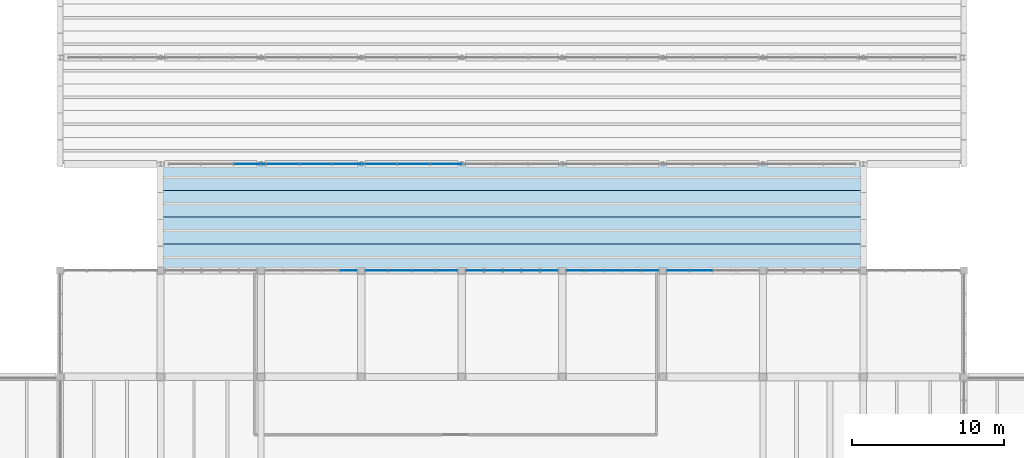
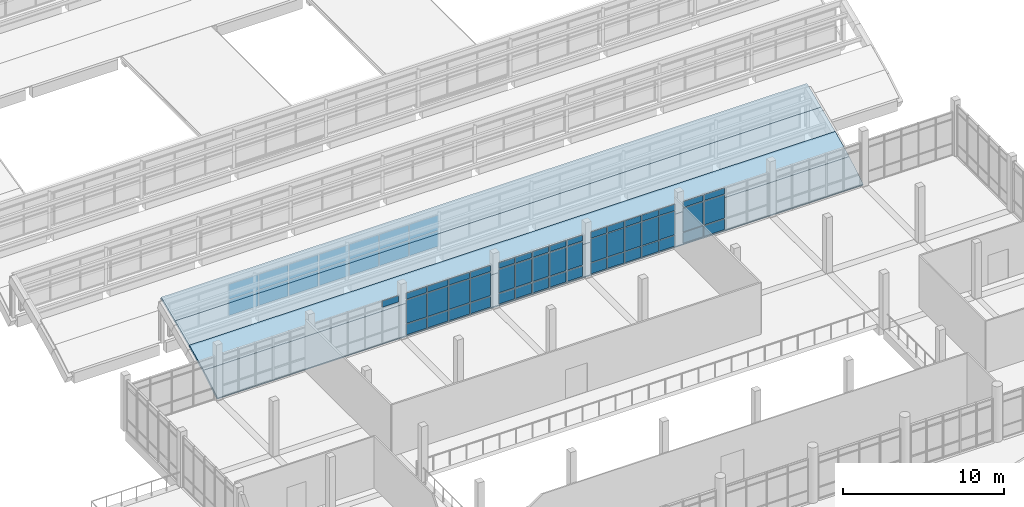
# One storey, part 68 of 92: 63 plates, 4 slabs, 7 elements without a shape of their own.
"""IFC4 building model written with IfcOpenShell, lengths in metres."""

from ifc_helpers import new_model, si_unit, direction, frame, origin, origin_2d, place, context, subcontext, project, spatial, polyline, rectangle, outline, extrude, material, layer, layer_set, type_object, element, aggregate, save


model = new_model("IFC4")

# Units and contexts
model_context = context("Model", 3, precision=1e-05, world=origin(), true_north=direction((0.0, 1.0)))
body_context = subcontext(model_context, "Body", "Model", "MODEL_VIEW")
ifc_project = project(units=[si_unit("LENGTHUNIT", "METRE"), si_unit("AREAUNIT", "SQUARE_METRE"), si_unit("VOLUMEUNIT", "CUBIC_METRE"), si_unit("PLANEANGLEUNIT", "RADIAN"), si_unit("MASSUNIT", "GRAM", prefix="KILO")], contexts=[model_context])

# Site, building, storey
site_placement = place(None, origin())
site = spatial("IfcSite", under=ifc_project, at=site_placement, CompositionType="ELEMENT")
building_placement = place(site_placement, origin())
building = spatial("IfcBuilding", under=site, at=building_placement, Name="Ciguamira Faculty of Natural Sciences", CompositionType="ELEMENT")
storey_placement = place(building_placement, frame((0.0, 0.0, 16.800048828125)))
storey = spatial("IfcBuildingStorey", under=building, at=storey_placement, Name="L04", CompositionType="ELEMENT", Elevation=16.800048828125)

# Curtain wall, plate
ifc_material_1 = material(Name="Anodized aluminium curtain wall", Category="aluminium")
curtain_wall_type_1 = type_object("IfcCurtainWallType", Name="CurtainWall_CW-07", PredefinedType="USERDEFINED", material=ifc_material_1)
curtain_wall_1_placement = place(storey_placement, origin())
curtain_wall_1 = element("IfcCurtainWall", 1, at=curtain_wall_1_placement, inside=storey, type_object=curtain_wall_type_1, Name="L04 unitised curtain wall 0115", ObjectType="UNITISED CURTAIN WALL", PredefinedType="USERDEFINED")
ifc_material_2 = material(Name="Low-E laminated solar glass", Category="glass")
ifc_layer_1 = layer(ifc_material_2, 0.028076171875, Name="Low-E laminated solar glass")
ifc_layer_set_1 = layer_set([ifc_layer_1], Name="Low-E laminated solar glass")
plate_type_1 = type_object("IfcPlateType", Name="CWPanel_CWP-01", PredefinedType="CURTAIN_PANEL", material=ifc_layer_set_1)
plate_1_placement = place(storey_placement, frame((76.2451171875, 38.0, 2.764892578125), z_axis=(0.0, 0.0, 1.0), x_axis=(1.0, 0.0, 0.0)))
plate_1 = element("IfcPlate", 2, at=plate_1_placement, type_object=plate_type_1, Name="CW-07 panel 5.3", PredefinedType="CURTAIN_PANEL", context=body_context, shape_type="SweptSolid", body=[
    extrude(rectangle(XDim=1.139892578125, YDim=0.028076171875, at=origin_2d()), origin(), (0.0, 0.0, 1.0), 0.4599609375),
])
aggregate(curtain_wall_1, [plate_1])

# Curtain wall, plates
curtain_wall_type_2 = type_object("IfcCurtainWallType", Name="CurtainWall_CW-09", PredefinedType="USERDEFINED", material=ifc_material_1)
curtain_wall_2_placement = place(storey_placement, origin())
curtain_wall_2 = element("IfcCurtainWall", 3, at=curtain_wall_2_placement, inside=storey, type_object=curtain_wall_type_2, Name="L04 unitised curtain wall 0117", ObjectType="UNITISED CURTAIN WALL", PredefinedType="USERDEFINED")
plate_2_placement = place(storey_placement, frame((84.56005859375, 38.0, 0.080078125), z_axis=(0.0, 0.0, 1.0), x_axis=(1.0, 0.0, 0.0)))
plate_2 = element("IfcPlate", 4, at=plate_2_placement, type_object=plate_type_1, Name="CW-09 panel 1.1", PredefinedType="CURTAIN_PANEL", context=body_context, shape_type="SweptSolid", body=[
    extrude(rectangle(XDim=1.110107421875, YDim=0.028076171875, at=origin_2d()), origin(), (0.0, 0.0, 1.0), 0.780029296875),
])
plate_3_placement = place(storey_placement, frame((84.56005859375, 38.0, 0.93994140625), z_axis=(0.0, 0.0, 1.0), x_axis=(1.0, 0.0, 0.0)))
plate_3 = element("IfcPlate", 5, at=plate_3_placement, type_object=plate_type_1, Name="CW-09 panel 1.2", PredefinedType="CURTAIN_PANEL", context=body_context, shape_type="SweptSolid", body=[
    extrude(rectangle(XDim=1.110107421875, YDim=0.028076171875, at=origin_2d()), origin(), (0.0, 0.0, 1.0), 1.7548828125),
])
plate_4_placement = place(storey_placement, frame((84.56005859375, 38.0, 2.77490234375), z_axis=(0.0, 0.0, 1.0), x_axis=(1.0, 0.0, 0.0)))
plate_4 = element("IfcPlate", 6, at=plate_4_placement, type_object=plate_type_1, Name="CW-09 panel 1.3", PredefinedType="CURTAIN_PANEL", context=body_context, shape_type="SweptSolid", body=[
    extrude(rectangle(XDim=1.110107421875, YDim=0.028076171875, at=origin_2d()), origin(), (0.0, 0.0, 1.0), 0.429931640625),
])
plate_5_placement = place(storey_placement, frame((85.77001953125, 38.0, 0.080078125), z_axis=(0.0, 0.0, 1.0), x_axis=(1.0, 0.0, 0.0)))
plate_5 = element("IfcPlate", 7, at=plate_5_placement, type_object=plate_type_1, Name="CW-09 panel 2.1", PredefinedType="CURTAIN_PANEL", context=body_context, shape_type="SweptSolid", body=[
    extrude(rectangle(XDim=1.14990234375, YDim=0.028076171875, at=origin_2d()), origin(), (0.0, 0.0, 1.0), 0.780029296875),
])
plate_6_placement = place(storey_placement, frame((85.77001953125, 38.0, 0.93994140625), z_axis=(0.0, 0.0, 1.0), x_axis=(1.0, 0.0, 0.0)))
plate_6 = element("IfcPlate", 8, at=plate_6_placement, type_object=plate_type_1, Name="CW-09 panel 2.2", PredefinedType="CURTAIN_PANEL", context=body_context, shape_type="SweptSolid", body=[
    extrude(rectangle(XDim=1.14990234375, YDim=0.028076171875, at=origin_2d()), origin(), (0.0, 0.0, 1.0), 1.7548828125),
])
plate_7_placement = place(storey_placement, frame((85.77001953125, 38.0, 2.77490234375), z_axis=(0.0, 0.0, 1.0), x_axis=(1.0, 0.0, 0.0)))
plate_7 = element("IfcPlate", 9, at=plate_7_placement, type_object=plate_type_1, Name="CW-09 panel 2.3", PredefinedType="CURTAIN_PANEL", context=body_context, shape_type="SweptSolid", body=[
    extrude(rectangle(XDim=1.14990234375, YDim=0.028076171875, at=origin_2d()), origin(), (0.0, 0.0, 1.0), 0.429931640625),
])
plate_8_placement = place(storey_placement, frame((87.0, 38.0, 0.080078125), z_axis=(0.0, 0.0, 1.0), x_axis=(1.0, 0.0, 0.0)))
plate_8 = element("IfcPlate", 10, at=plate_8_placement, type_object=plate_type_1, Name="CW-09 panel 3.1", PredefinedType="CURTAIN_PANEL", context=body_context, shape_type="SweptSolid", body=[
    extrude(rectangle(XDim=1.14990234375, YDim=0.028076171875, at=origin_2d()), origin(), (0.0, 0.0, 1.0), 0.780029296875),
])
plate_9_placement = place(storey_placement, frame((87.0, 38.0, 0.93994140625), z_axis=(0.0, 0.0, 1.0), x_axis=(1.0, 0.0, 0.0)))
plate_9 = element("IfcPlate", 11, at=plate_9_placement, type_object=plate_type_1, Name="CW-09 panel 3.2", PredefinedType="CURTAIN_PANEL", context=body_context, shape_type="SweptSolid", body=[
    extrude(rectangle(XDim=1.14990234375, YDim=0.028076171875, at=origin_2d()), origin(), (0.0, 0.0, 1.0), 1.7548828125),
])
plate_10_placement = place(storey_placement, frame((87.0, 38.0, 2.77490234375), z_axis=(0.0, 0.0, 1.0), x_axis=(1.0, 0.0, 0.0)))
plate_10 = element("IfcPlate", 12, at=plate_10_placement, type_object=plate_type_1, Name="CW-09 panel 3.3", PredefinedType="CURTAIN_PANEL", context=body_context, shape_type="SweptSolid", body=[
    extrude(rectangle(XDim=1.14990234375, YDim=0.028076171875, at=origin_2d()), origin(), (0.0, 0.0, 1.0), 0.429931640625),
])
plate_11_placement = place(storey_placement, frame((88.22998046875, 38.0, 0.080078125), z_axis=(0.0, 0.0, 1.0), x_axis=(1.0, 0.0, 0.0)))
plate_11 = element("IfcPlate", 13, at=plate_11_placement, type_object=plate_type_1, Name="CW-09 panel 4.1", PredefinedType="CURTAIN_PANEL", context=body_context, shape_type="SweptSolid", body=[
    extrude(rectangle(XDim=1.14990234375, YDim=0.028076171875, at=origin_2d()), origin(), (0.0, 0.0, 1.0), 0.780029296875),
])
plate_12_placement = place(storey_placement, frame((88.22998046875, 38.0, 0.93994140625), z_axis=(0.0, 0.0, 1.0), x_axis=(1.0, 0.0, 0.0)))
plate_12 = element("IfcPlate", 14, at=plate_12_placement, type_object=plate_type_1, Name="CW-09 panel 4.2", PredefinedType="CURTAIN_PANEL", context=body_context, shape_type="SweptSolid", body=[
    extrude(rectangle(XDim=1.14990234375, YDim=0.028076171875, at=origin_2d()), origin(), (0.0, 0.0, 1.0), 1.7548828125),
])
plate_13_placement = place(storey_placement, frame((88.22998046875, 38.0, 2.77490234375), z_axis=(0.0, 0.0, 1.0), x_axis=(1.0, 0.0, 0.0)))
plate_13 = element("IfcPlate", 15, at=plate_13_placement, type_object=plate_type_1, Name="CW-09 panel 4.3", PredefinedType="CURTAIN_PANEL", context=body_context, shape_type="SweptSolid", body=[
    extrude(rectangle(XDim=1.14990234375, YDim=0.028076171875, at=origin_2d()), origin(), (0.0, 0.0, 1.0), 0.429931640625),
])
plate_14_placement = place(storey_placement, frame((89.43994140625, 38.0, 0.080078125), z_axis=(0.0, 0.0, 1.0), x_axis=(1.0, 0.0, 0.0)))
plate_14 = element("IfcPlate", 16, at=plate_14_placement, type_object=plate_type_1, Name="CW-09 panel 5.1", PredefinedType="CURTAIN_PANEL", context=body_context, shape_type="SweptSolid", body=[
    extrude(rectangle(XDim=1.110107421875, YDim=0.028076171875, at=origin_2d()), origin(), (0.0, 0.0, 1.0), 0.780029296875),
])
plate_15_placement = place(storey_placement, frame((89.43994140625, 38.0, 0.93994140625), z_axis=(0.0, 0.0, 1.0), x_axis=(1.0, 0.0, 0.0)))
plate_15 = element("IfcPlate", 17, at=plate_15_placement, type_object=plate_type_1, Name="CW-09 panel 5.2", PredefinedType="CURTAIN_PANEL", context=body_context, shape_type="SweptSolid", body=[
    extrude(rectangle(XDim=1.110107421875, YDim=0.028076171875, at=origin_2d()), origin(), (0.0, 0.0, 1.0), 1.7548828125),
])
plate_16_placement = place(storey_placement, frame((89.43994140625, 38.0, 2.77490234375), z_axis=(0.0, 0.0, 1.0), x_axis=(1.0, 0.0, 0.0)))
plate_16 = element("IfcPlate", 18, at=plate_16_placement, type_object=plate_type_1, Name="CW-09 panel 5.3", PredefinedType="CURTAIN_PANEL", context=body_context, shape_type="SweptSolid", body=[
    extrude(rectangle(XDim=1.110107421875, YDim=0.028076171875, at=origin_2d()), origin(), (0.0, 0.0, 1.0), 0.429931640625),
])
aggregate(curtain_wall_2, [plate_2, plate_3, plate_4, plate_5, plate_6, plate_7, plate_8, plate_9, plate_10, plate_11, plate_12, plate_13, plate_14, plate_15, plate_16])

curtain_wall_type_3 = type_object("IfcCurtainWallType", Name="CurtainWall_CW-11", PredefinedType="USERDEFINED", material=ifc_material_1)
curtain_wall_3_placement = place(storey_placement, origin())
curtain_wall_3 = element("IfcCurtainWall", 19, at=curtain_wall_3_placement, inside=storey, type_object=curtain_wall_type_3, Name="L04 unitised curtain wall 0119", ObjectType="UNITISED CURTAIN WALL", PredefinedType="USERDEFINED")
plate_17_placement = place(storey_placement, frame((97.9111328125, 38.0, 0.070068359375), z_axis=(0.0, 0.0, 1.0), x_axis=(1.0, 0.0, 0.0)))
plate_17 = element("IfcPlate", 20, at=plate_17_placement, type_object=plate_type_1, Name="CW-11 panel 1.1", PredefinedType="CURTAIN_PANEL", context=body_context, shape_type="SweptSolid", body=[
    extrude(rectangle(XDim=1.4326171875, YDim=0.028076171875, at=origin_2d()), origin(), (0.0, 0.0, 1.0), 0.794921875),
])
plate_18_placement = place(storey_placement, frame((97.9111328125, 38.0, 0.93505859375), z_axis=(0.0, 0.0, 1.0), x_axis=(1.0, 0.0, 0.0)))
plate_18 = element("IfcPlate", 21, at=plate_18_placement, type_object=plate_type_1, Name="CW-11 panel 1.2", PredefinedType="CURTAIN_PANEL", context=body_context, shape_type="SweptSolid", body=[
    extrude(rectangle(XDim=1.4326171875, YDim=0.028076171875, at=origin_2d()), origin(), (0.0, 0.0, 1.0), 1.764892578125),
])
plate_19_placement = place(storey_placement, frame((97.9111328125, 38.0, 2.77001953125), z_axis=(0.0, 0.0, 1.0), x_axis=(1.0, 0.0, 0.0)))
plate_19 = element("IfcPlate", 22, at=plate_19_placement, type_object=plate_type_1, Name="CW-11 panel 1.3", PredefinedType="CURTAIN_PANEL", context=body_context, shape_type="SweptSolid", body=[
    extrude(rectangle(XDim=1.4326171875, YDim=0.028076171875, at=origin_2d()), origin(), (0.0, 0.0, 1.0), 0.445068359375),
])
plate_20_placement = place(storey_placement, frame((99.43115234375, 38.0, 0.070068359375), z_axis=(0.0, 0.0, 1.0), x_axis=(1.0, 0.0, 0.0)))
plate_20 = element("IfcPlate", 23, at=plate_20_placement, type_object=plate_type_1, Name="CW-11 panel 2.1", PredefinedType="CURTAIN_PANEL", context=body_context, shape_type="SweptSolid", body=[
    extrude(rectangle(XDim=1.467529296875, YDim=0.028076171875, at=origin_2d()), origin(), (0.0, 0.0, 1.0), 0.794921875),
])
plate_21_placement = place(storey_placement, frame((99.43115234375, 38.0, 0.93505859375), z_axis=(0.0, 0.0, 1.0), x_axis=(1.0, 0.0, 0.0)))
plate_21 = element("IfcPlate", 24, at=plate_21_placement, type_object=plate_type_1, Name="CW-11 panel 2.2", PredefinedType="CURTAIN_PANEL", context=body_context, shape_type="SweptSolid", body=[
    extrude(rectangle(XDim=1.467529296875, YDim=0.028076171875, at=origin_2d()), origin(), (0.0, 0.0, 1.0), 1.764892578125),
])
plate_22_placement = place(storey_placement, frame((99.43115234375, 38.0, 2.77001953125), z_axis=(0.0, 0.0, 1.0), x_axis=(1.0, 0.0, 0.0)))
plate_22 = element("IfcPlate", 25, at=plate_22_placement, type_object=plate_type_1, Name="CW-11 panel 2.3", PredefinedType="CURTAIN_PANEL", context=body_context, shape_type="SweptSolid", body=[
    extrude(rectangle(XDim=1.467529296875, YDim=0.028076171875, at=origin_2d()), origin(), (0.0, 0.0, 1.0), 0.445068359375),
])
aggregate(curtain_wall_3, [plate_17, plate_18, plate_19, plate_20, plate_21, plate_22])

curtain_wall_type_4 = type_object("IfcCurtainWallType", Name="CurtainWall_CW-08", PredefinedType="USERDEFINED", material=ifc_material_1)
curtain_wall_4_placement = place(storey_placement, origin())
curtain_wall_4 = element("IfcCurtainWall", 26, at=curtain_wall_4_placement, inside=storey, type_object=curtain_wall_type_4, Name="L04 unitised curtain wall 0116", ObjectType="UNITISED CURTAIN WALL", PredefinedType="USERDEFINED")
ifc_layer_2 = layer(ifc_material_2, 0.035888671875, Name="Low-E laminated solar glass")
ifc_layer_set_2 = layer_set([ifc_layer_2], Name="Low-E laminated solar glass")
plate_type_2 = type_object("IfcPlateType", Name="CWPanel_CWP-02", PredefinedType="CURTAIN_PANEL", material=ifc_layer_set_2)
plate_23_placement = place(storey_placement, frame((78.111328125, 38.0, 0.070068359375), z_axis=(0.0, 0.0, 1.0), x_axis=(1.0, 0.0, 0.0)))
plate_23 = element("IfcPlate", 27, at=plate_23_placement, type_object=plate_type_2, Name="CW-08 panel 1.1", PredefinedType="CURTAIN_PANEL", context=body_context, shape_type="SweptSolid", body=[
    extrude(rectangle(XDim=1.4326171875, YDim=0.035888671875, at=origin_2d()), origin(), (0.0, 0.0, 1.0), 0.794921875),
])
plate_24_placement = place(storey_placement, frame((78.111328125, 38.0, 0.93505859375), z_axis=(0.0, 0.0, 1.0), x_axis=(1.0, 0.0, 0.0)))
plate_24 = element("IfcPlate", 28, at=plate_24_placement, type_object=plate_type_2, Name="CW-08 panel 1.2", PredefinedType="CURTAIN_PANEL", context=body_context, shape_type="SweptSolid", body=[
    extrude(rectangle(XDim=1.4326171875, YDim=0.035888671875, at=origin_2d()), origin(), (0.0, 0.0, 1.0), 1.764892578125),
])
plate_25_placement = place(storey_placement, frame((78.111328125, 38.0, 2.77001953125), z_axis=(0.0, 0.0, 1.0), x_axis=(1.0, 0.0, 0.0)))
plate_25 = element("IfcPlate", 29, at=plate_25_placement, type_object=plate_type_2, Name="CW-08 panel 1.3", PredefinedType="CURTAIN_PANEL", context=body_context, shape_type="SweptSolid", body=[
    extrude(rectangle(XDim=1.4326171875, YDim=0.035888671875, at=origin_2d()), origin(), (0.0, 0.0, 1.0), 0.445068359375),
])
plate_26_placement = place(storey_placement, frame((79.63134765625, 38.0, 0.070068359375), z_axis=(0.0, 0.0, 1.0), x_axis=(1.0, 0.0, 0.0)))
plate_26 = element("IfcPlate", 30, at=plate_26_placement, type_object=plate_type_2, Name="CW-08 panel 2.1", PredefinedType="CURTAIN_PANEL", context=body_context, shape_type="SweptSolid", body=[
    extrude(rectangle(XDim=1.467529296875, YDim=0.035888671875, at=origin_2d()), origin(), (0.0, 0.0, 1.0), 0.794921875),
])
plate_27_placement = place(storey_placement, frame((79.63134765625, 38.0, 0.93505859375), z_axis=(0.0, 0.0, 1.0), x_axis=(1.0, 0.0, 0.0)))
plate_27 = element("IfcPlate", 31, at=plate_27_placement, type_object=plate_type_2, Name="CW-08 panel 2.2", PredefinedType="CURTAIN_PANEL", context=body_context, shape_type="SweptSolid", body=[
    extrude(rectangle(XDim=1.467529296875, YDim=0.035888671875, at=origin_2d()), origin(), (0.0, 0.0, 1.0), 1.764892578125),
])
plate_28_placement = place(storey_placement, frame((79.63134765625, 38.0, 2.77001953125), z_axis=(0.0, 0.0, 1.0), x_axis=(1.0, 0.0, 0.0)))
plate_28 = element("IfcPlate", 32, at=plate_28_placement, type_object=plate_type_2, Name="CW-08 panel 2.3", PredefinedType="CURTAIN_PANEL", context=body_context, shape_type="SweptSolid", body=[
    extrude(rectangle(XDim=1.467529296875, YDim=0.035888671875, at=origin_2d()), origin(), (0.0, 0.0, 1.0), 0.445068359375),
])
plate_29_placement = place(storey_placement, frame((81.168701171875, 38.0, 0.070068359375), z_axis=(0.0, 0.0, 1.0), x_axis=(1.0, 0.0, 0.0)))
plate_29 = element("IfcPlate", 33, at=plate_29_placement, type_object=plate_type_2, Name="CW-08 panel 3.1", PredefinedType="CURTAIN_PANEL", context=body_context, shape_type="SweptSolid", body=[
    extrude(rectangle(XDim=1.467529296875, YDim=0.035888671875, at=origin_2d()), origin(), (0.0, 0.0, 1.0), 0.794921875),
])
plate_30_placement = place(storey_placement, frame((81.168701171875, 38.0, 0.93505859375), z_axis=(0.0, 0.0, 1.0), x_axis=(1.0, 0.0, 0.0)))
plate_30 = element("IfcPlate", 34, at=plate_30_placement, type_object=plate_type_2, Name="CW-08 panel 3.2", PredefinedType="CURTAIN_PANEL", context=body_context, shape_type="SweptSolid", body=[
    extrude(rectangle(XDim=1.467529296875, YDim=0.035888671875, at=origin_2d()), origin(), (0.0, 0.0, 1.0), 1.764892578125),
])
plate_31_placement = place(storey_placement, frame((81.168701171875, 38.0, 2.77001953125), z_axis=(0.0, 0.0, 1.0), x_axis=(1.0, 0.0, 0.0)))
plate_31 = element("IfcPlate", 35, at=plate_31_placement, type_object=plate_type_2, Name="CW-08 panel 3.3", PredefinedType="CURTAIN_PANEL", context=body_context, shape_type="SweptSolid", body=[
    extrude(rectangle(XDim=1.467529296875, YDim=0.035888671875, at=origin_2d()), origin(), (0.0, 0.0, 1.0), 0.445068359375),
])
plate_32_placement = place(storey_placement, frame((82.688720703125, 38.0, 0.070068359375), z_axis=(0.0, 0.0, 1.0), x_axis=(1.0, 0.0, 0.0)))
plate_32 = element("IfcPlate", 36, at=plate_32_placement, type_object=plate_type_2, Name="CW-08 panel 4.1", PredefinedType="CURTAIN_PANEL", context=body_context, shape_type="SweptSolid", body=[
    extrude(rectangle(XDim=1.4326171875, YDim=0.035888671875, at=origin_2d()), origin(), (0.0, 0.0, 1.0), 0.794921875),
])
plate_33_placement = place(storey_placement, frame((82.688720703125, 38.0, 0.93505859375), z_axis=(0.0, 0.0, 1.0), x_axis=(1.0, 0.0, 0.0)))
plate_33 = element("IfcPlate", 37, at=plate_33_placement, type_object=plate_type_2, Name="CW-08 panel 4.2", PredefinedType="CURTAIN_PANEL", context=body_context, shape_type="SweptSolid", body=[
    extrude(rectangle(XDim=1.4326171875, YDim=0.035888671875, at=origin_2d()), origin(), (0.0, 0.0, 1.0), 1.764892578125),
])
plate_34_placement = place(storey_placement, frame((82.688720703125, 38.0, 2.77001953125), z_axis=(0.0, 0.0, 1.0), x_axis=(1.0, 0.0, 0.0)))
plate_34 = element("IfcPlate", 38, at=plate_34_placement, type_object=plate_type_2, Name="CW-08 panel 4.3", PredefinedType="CURTAIN_PANEL", context=body_context, shape_type="SweptSolid", body=[
    extrude(rectangle(XDim=1.4326171875, YDim=0.035888671875, at=origin_2d()), origin(), (0.0, 0.0, 1.0), 0.445068359375),
])
aggregate(curtain_wall_4, [plate_23, plate_24, plate_25, plate_26, plate_27, plate_28, plate_29, plate_30, plate_31, plate_32, plate_33, plate_34])

curtain_wall_type_5 = type_object("IfcCurtainWallType", Name="CurtainWall_CW-10", PredefinedType="USERDEFINED", material=ifc_material_1)
curtain_wall_5_placement = place(storey_placement, origin())
curtain_wall_5 = element("IfcCurtainWall", 39, at=curtain_wall_5_placement, inside=storey, type_object=curtain_wall_type_5, Name="L04 unitised curtain wall 0118", ObjectType="UNITISED CURTAIN WALL", PredefinedType="USERDEFINED")
plate_35_placement = place(storey_placement, frame((91.155029296875, 38.0, 0.059814453125), z_axis=(0.0, 0.0, 1.0), x_axis=(1.0, 0.0, 0.0)))
plate_35 = element("IfcPlate", 40, at=plate_35_placement, type_object=plate_type_2, Name="CW-10 panel 1.1", PredefinedType="CURTAIN_PANEL", context=body_context, shape_type="SweptSolid", body=[
    extrude(rectangle(XDim=1.139892578125, YDim=0.035888671875, at=origin_2d()), origin(), (0.0, 0.0, 1.0), 0.81005859375),
])
plate_36_placement = place(storey_placement, frame((91.155029296875, 38.0, 0.929931640625), z_axis=(0.0, 0.0, 1.0), x_axis=(1.0, 0.0, 0.0)))
plate_36 = element("IfcPlate", 41, at=plate_36_placement, type_object=plate_type_2, Name="CW-10 panel 1.2", PredefinedType="CURTAIN_PANEL", context=body_context, shape_type="SweptSolid", body=[
    extrude(rectangle(XDim=1.139892578125, YDim=0.035888671875, at=origin_2d()), origin(), (0.0, 0.0, 1.0), 1.77490234375),
])
plate_37_placement = place(storey_placement, frame((91.155029296875, 38.0, 2.764892578125), z_axis=(0.0, 0.0, 1.0), x_axis=(1.0, 0.0, 0.0)))
plate_37 = element("IfcPlate", 42, at=plate_37_placement, type_object=plate_type_2, Name="CW-10 panel 1.3", PredefinedType="CURTAIN_PANEL", context=body_context, shape_type="SweptSolid", body=[
    extrude(rectangle(XDim=1.139892578125, YDim=0.035888671875, at=origin_2d()), origin(), (0.0, 0.0, 1.0), 0.4599609375),
])
plate_38_placement = place(storey_placement, frame((92.3701171875, 38.0, 0.059814453125), z_axis=(0.0, 0.0, 1.0), x_axis=(1.0, 0.0, 0.0)))
plate_38 = element("IfcPlate", 43, at=plate_38_placement, type_object=plate_type_2, Name="CW-10 panel 2.1", PredefinedType="CURTAIN_PANEL", context=body_context, shape_type="SweptSolid", body=[
    extrude(rectangle(XDim=1.169921875, YDim=0.035888671875, at=origin_2d()), origin(), (0.0, 0.0, 1.0), 0.81005859375),
])
plate_39_placement = place(storey_placement, frame((92.3701171875, 38.0, 0.929931640625), z_axis=(0.0, 0.0, 1.0), x_axis=(1.0, 0.0, 0.0)))
plate_39 = element("IfcPlate", 44, at=plate_39_placement, type_object=plate_type_2, Name="CW-10 panel 2.2", PredefinedType="CURTAIN_PANEL", context=body_context, shape_type="SweptSolid", body=[
    extrude(rectangle(XDim=1.169921875, YDim=0.035888671875, at=origin_2d()), origin(), (0.0, 0.0, 1.0), 1.77490234375),
])
plate_40_placement = place(storey_placement, frame((92.3701171875, 38.0, 2.764892578125), z_axis=(0.0, 0.0, 1.0), x_axis=(1.0, 0.0, 0.0)))
plate_40 = element("IfcPlate", 45, at=plate_40_placement, type_object=plate_type_2, Name="CW-10 panel 2.3", PredefinedType="CURTAIN_PANEL", context=body_context, shape_type="SweptSolid", body=[
    extrude(rectangle(XDim=1.169921875, YDim=0.035888671875, at=origin_2d()), origin(), (0.0, 0.0, 1.0), 0.4599609375),
])
plate_41_placement = place(storey_placement, frame((93.60009765625, 38.0, 0.059814453125), z_axis=(0.0, 0.0, 1.0), x_axis=(1.0, 0.0, 0.0)))
plate_41 = element("IfcPlate", 46, at=plate_41_placement, type_object=plate_type_2, Name="CW-10 panel 3.1", PredefinedType="CURTAIN_PANEL", context=body_context, shape_type="SweptSolid", body=[
    extrude(rectangle(XDim=1.169921875, YDim=0.035888671875, at=origin_2d()), origin(), (0.0, 0.0, 1.0), 0.81005859375),
])
plate_42_placement = place(storey_placement, frame((93.60009765625, 38.0, 0.929931640625), z_axis=(0.0, 0.0, 1.0), x_axis=(1.0, 0.0, 0.0)))
plate_42 = element("IfcPlate", 47, at=plate_42_placement, type_object=plate_type_2, Name="CW-10 panel 3.2", PredefinedType="CURTAIN_PANEL", context=body_context, shape_type="SweptSolid", body=[
    extrude(rectangle(XDim=1.169921875, YDim=0.035888671875, at=origin_2d()), origin(), (0.0, 0.0, 1.0), 1.77490234375),
])
plate_43_placement = place(storey_placement, frame((93.60009765625, 38.0, 2.764892578125), z_axis=(0.0, 0.0, 1.0), x_axis=(1.0, 0.0, 0.0)))
plate_43 = element("IfcPlate", 48, at=plate_43_placement, type_object=plate_type_2, Name="CW-10 panel 3.3", PredefinedType="CURTAIN_PANEL", context=body_context, shape_type="SweptSolid", body=[
    extrude(rectangle(XDim=1.169921875, YDim=0.035888671875, at=origin_2d()), origin(), (0.0, 0.0, 1.0), 0.4599609375),
])
plate_44_placement = place(storey_placement, frame((94.830078125, 38.0, 0.059814453125), z_axis=(0.0, 0.0, 1.0), x_axis=(1.0, 0.0, 0.0)))
plate_44 = element("IfcPlate", 49, at=plate_44_placement, type_object=plate_type_2, Name="CW-10 panel 4.1", PredefinedType="CURTAIN_PANEL", context=body_context, shape_type="SweptSolid", body=[
    extrude(rectangle(XDim=1.169921875, YDim=0.035888671875, at=origin_2d()), origin(), (0.0, 0.0, 1.0), 0.81005859375),
])
plate_45_placement = place(storey_placement, frame((94.830078125, 38.0, 0.929931640625), z_axis=(0.0, 0.0, 1.0), x_axis=(1.0, 0.0, 0.0)))
plate_45 = element("IfcPlate", 50, at=plate_45_placement, type_object=plate_type_2, Name="CW-10 panel 4.2", PredefinedType="CURTAIN_PANEL", context=body_context, shape_type="SweptSolid", body=[
    extrude(rectangle(XDim=1.169921875, YDim=0.035888671875, at=origin_2d()), origin(), (0.0, 0.0, 1.0), 1.77490234375),
])
plate_46_placement = place(storey_placement, frame((94.830078125, 38.0, 2.764892578125), z_axis=(0.0, 0.0, 1.0), x_axis=(1.0, 0.0, 0.0)))
plate_46 = element("IfcPlate", 51, at=plate_46_placement, type_object=plate_type_2, Name="CW-10 panel 4.3", PredefinedType="CURTAIN_PANEL", context=body_context, shape_type="SweptSolid", body=[
    extrude(rectangle(XDim=1.169921875, YDim=0.035888671875, at=origin_2d()), origin(), (0.0, 0.0, 1.0), 0.4599609375),
])
plate_47_placement = place(storey_placement, frame((96.044921875, 38.0, 0.059814453125), z_axis=(0.0, 0.0, 1.0), x_axis=(1.0, 0.0, 0.0)))
plate_47 = element("IfcPlate", 52, at=plate_47_placement, type_object=plate_type_2, Name="CW-10 panel 5.1", PredefinedType="CURTAIN_PANEL", context=body_context, shape_type="SweptSolid", body=[
    extrude(rectangle(XDim=1.139892578125, YDim=0.035888671875, at=origin_2d()), origin(), (0.0, 0.0, 1.0), 0.81005859375),
])
plate_48_placement = place(storey_placement, frame((96.044921875, 38.0, 0.929931640625), z_axis=(0.0, 0.0, 1.0), x_axis=(1.0, 0.0, 0.0)))
plate_48 = element("IfcPlate", 53, at=plate_48_placement, type_object=plate_type_2, Name="CW-10 panel 5.2", PredefinedType="CURTAIN_PANEL", context=body_context, shape_type="SweptSolid", body=[
    extrude(rectangle(XDim=1.139892578125, YDim=0.035888671875, at=origin_2d()), origin(), (0.0, 0.0, 1.0), 1.77490234375),
])
plate_49_placement = place(storey_placement, frame((96.044921875, 38.0, 2.764892578125), z_axis=(0.0, 0.0, 1.0), x_axis=(1.0, 0.0, 0.0)))
plate_49 = element("IfcPlate", 54, at=plate_49_placement, type_object=plate_type_2, Name="CW-10 panel 5.3", PredefinedType="CURTAIN_PANEL", context=body_context, shape_type="SweptSolid", body=[
    extrude(rectangle(XDim=1.139892578125, YDim=0.035888671875, at=origin_2d()), origin(), (0.0, 0.0, 1.0), 0.4599609375),
])
aggregate(curtain_wall_5, [plate_35, plate_36, plate_37, plate_38, plate_39, plate_40, plate_41, plate_42, plate_43, plate_44, plate_45, plate_46, plate_47, plate_48, plate_49])

curtain_wall_type_6 = type_object("IfcCurtainWallType", Name="CurtainWall_CW-02", PredefinedType="USERDEFINED", material=ifc_material_1)
curtain_wall_6_placement = place(storey_placement, origin())
curtain_wall_6 = element("IfcCurtainWall", 55, at=curtain_wall_6_placement, inside=storey, type_object=curtain_wall_type_6, Name="V4 north-light wave 1 clerestory glazing 1", ObjectType="UNITISED CURTAIN WALL", PredefinedType="USERDEFINED")
plate_50_placement = place(storey_placement, frame((69.781005859375, 45.0, 0.31982421875), z_axis=(0.0, 0.0, 1.0), x_axis=(1.0, 0.0, 0.0)))
plate_50 = element("IfcPlate", 56, at=plate_50_placement, type_object=plate_type_2, Name="CW-02 panel 3.1", PredefinedType="CURTAIN_PANEL", context=body_context, shape_type="SweptSolid", body=[
    extrude(rectangle(XDim=2.082275390625, YDim=0.035888671875, at=origin_2d()), origin(), (0.0, 0.0, 1.0), 1.14501953125),
])
plate_51_placement = place(storey_placement, frame((69.781005859375, 45.0, 1.534912109375), z_axis=(0.0, 0.0, 1.0), x_axis=(1.0, 0.0, 0.0)))
plate_51 = element("IfcPlate", 57, at=plate_51_placement, type_object=plate_type_2, Name="CW-02 panel 3.2", PredefinedType="CURTAIN_PANEL", context=body_context, shape_type="SweptSolid", body=[
    extrude(rectangle(XDim=2.082275390625, YDim=0.035888671875, at=origin_2d()), origin(), (0.0, 0.0, 1.0), 1.14501953125),
])
plate_52_placement = place(storey_placement, frame((71.933349609375, 45.0, 0.31982421875), z_axis=(0.0, 0.0, 1.0), x_axis=(1.0, 0.0, 0.0)))
plate_52 = element("IfcPlate", 58, at=plate_52_placement, type_object=plate_type_2, Name="CW-02 panel 4.1", PredefinedType="CURTAIN_PANEL", context=body_context, shape_type="SweptSolid", body=[
    extrude(rectangle(XDim=2.082275390625, YDim=0.035888671875, at=origin_2d()), origin(), (0.0, 0.0, 1.0), 1.14501953125),
])
plate_53_placement = place(storey_placement, frame((71.933349609375, 45.0, 1.534912109375), z_axis=(0.0, 0.0, 1.0), x_axis=(1.0, 0.0, 0.0)))
plate_53 = element("IfcPlate", 59, at=plate_53_placement, type_object=plate_type_2, Name="CW-02 panel 4.2", PredefinedType="CURTAIN_PANEL", context=body_context, shape_type="SweptSolid", body=[
    extrude(rectangle(XDim=2.082275390625, YDim=0.035888671875, at=origin_2d()), origin(), (0.0, 0.0, 1.0), 1.14501953125),
])
plate_54_placement = place(storey_placement, frame((74.085693359375, 45.0, 0.31982421875), z_axis=(0.0, 0.0, 1.0), x_axis=(1.0, 0.0, 0.0)))
plate_54 = element("IfcPlate", 60, at=plate_54_placement, type_object=plate_type_2, Name="CW-02 panel 5.1", PredefinedType="CURTAIN_PANEL", context=body_context, shape_type="SweptSolid", body=[
    extrude(rectangle(XDim=2.082275390625, YDim=0.035888671875, at=origin_2d()), origin(), (0.0, 0.0, 1.0), 1.14501953125),
])
plate_55_placement = place(storey_placement, frame((74.085693359375, 45.0, 1.534912109375), z_axis=(0.0, 0.0, 1.0), x_axis=(1.0, 0.0, 0.0)))
plate_55 = element("IfcPlate", 61, at=plate_55_placement, type_object=plate_type_2, Name="CW-02 panel 5.2", PredefinedType="CURTAIN_PANEL", context=body_context, shape_type="SweptSolid", body=[
    extrude(rectangle(XDim=2.082275390625, YDim=0.035888671875, at=origin_2d()), origin(), (0.0, 0.0, 1.0), 1.14501953125),
])
plate_56_placement = place(storey_placement, frame((76.238037109375, 45.0, 0.31982421875), z_axis=(0.0, 0.0, 1.0), x_axis=(1.0, 0.0, 0.0)))
plate_56 = element("IfcPlate", 62, at=plate_56_placement, type_object=plate_type_2, Name="CW-02 panel 6.1", PredefinedType="CURTAIN_PANEL", context=body_context, shape_type="SweptSolid", body=[
    extrude(rectangle(XDim=2.082275390625, YDim=0.035888671875, at=origin_2d()), origin(), (0.0, 0.0, 1.0), 1.14501953125),
])
plate_57_placement = place(storey_placement, frame((76.238037109375, 45.0, 1.534912109375), z_axis=(0.0, 0.0, 1.0), x_axis=(1.0, 0.0, 0.0)))
plate_57 = element("IfcPlate", 63, at=plate_57_placement, type_object=plate_type_2, Name="CW-02 panel 6.2", PredefinedType="CURTAIN_PANEL", context=body_context, shape_type="SweptSolid", body=[
    extrude(rectangle(XDim=2.082275390625, YDim=0.035888671875, at=origin_2d()), origin(), (0.0, 0.0, 1.0), 1.14501953125),
])
plate_58_placement = place(storey_placement, frame((78.390380859375, 45.0, 0.31982421875), z_axis=(0.0, 0.0, 1.0), x_axis=(1.0, 0.0, 0.0)))
plate_58 = element("IfcPlate", 64, at=plate_58_placement, type_object=plate_type_2, Name="CW-02 panel 7.1", PredefinedType="CURTAIN_PANEL", context=body_context, shape_type="SweptSolid", body=[
    extrude(rectangle(XDim=2.082275390625, YDim=0.035888671875, at=origin_2d()), origin(), (0.0, 0.0, 1.0), 1.14501953125),
])
plate_59_placement = place(storey_placement, frame((78.390380859375, 45.0, 1.534912109375), z_axis=(0.0, 0.0, 1.0), x_axis=(1.0, 0.0, 0.0)))
plate_59 = element("IfcPlate", 65, at=plate_59_placement, type_object=plate_type_2, Name="CW-02 panel 7.2", PredefinedType="CURTAIN_PANEL", context=body_context, shape_type="SweptSolid", body=[
    extrude(rectangle(XDim=2.082275390625, YDim=0.035888671875, at=origin_2d()), origin(), (0.0, 0.0, 1.0), 1.14501953125),
])
plate_60_placement = place(storey_placement, frame((80.54296875, 45.0, 0.31982421875), z_axis=(0.0, 0.0, 1.0), x_axis=(1.0, 0.0, 0.0)))
plate_60 = element("IfcPlate", 66, at=plate_60_placement, type_object=plate_type_2, Name="CW-02 panel 8.1", PredefinedType="CURTAIN_PANEL", context=body_context, shape_type="SweptSolid", body=[
    extrude(rectangle(XDim=2.082275390625, YDim=0.035888671875, at=origin_2d()), origin(), (0.0, 0.0, 1.0), 1.14501953125),
])
plate_61_placement = place(storey_placement, frame((80.54296875, 45.0, 1.534912109375), z_axis=(0.0, 0.0, 1.0), x_axis=(1.0, 0.0, 0.0)))
plate_61 = element("IfcPlate", 67, at=plate_61_placement, type_object=plate_type_2, Name="CW-02 panel 8.2", PredefinedType="CURTAIN_PANEL", context=body_context, shape_type="SweptSolid", body=[
    extrude(rectangle(XDim=2.082275390625, YDim=0.035888671875, at=origin_2d()), origin(), (0.0, 0.0, 1.0), 1.14501953125),
])
plate_62_placement = place(storey_placement, frame((82.6953125, 45.0, 0.31982421875), z_axis=(0.0, 0.0, 1.0), x_axis=(1.0, 0.0, 0.0)))
plate_62 = element("IfcPlate", 68, at=plate_62_placement, type_object=plate_type_2, Name="CW-02 panel 9.1", PredefinedType="CURTAIN_PANEL", context=body_context, shape_type="SweptSolid", body=[
    extrude(rectangle(XDim=2.082275390625, YDim=0.035888671875, at=origin_2d()), origin(), (0.0, 0.0, 1.0), 1.14501953125),
])
plate_63_placement = place(storey_placement, frame((82.6953125, 45.0, 1.534912109375), z_axis=(0.0, 0.0, 1.0), x_axis=(1.0, 0.0, 0.0)))
plate_63 = element("IfcPlate", 69, at=plate_63_placement, type_object=plate_type_2, Name="CW-02 panel 9.2", PredefinedType="CURTAIN_PANEL", context=body_context, shape_type="SweptSolid", body=[
    extrude(rectangle(XDim=2.082275390625, YDim=0.035888671875, at=origin_2d()), origin(), (0.0, 0.0, 1.0), 1.14501953125),
])
aggregate(curtain_wall_6, [plate_50, plate_51, plate_52, plate_53, plate_54, plate_55, plate_56, plate_57, plate_58, plate_59, plate_60, plate_61, plate_62, plate_63])

# Roof, slabs
ifc_material_3 = material(Name="Concrete C40/50", Category="concrete")
roof_type = type_object("IfcRoofType", Name="RoofSys_RF-WAV", PredefinedType="FREEFORM", material=ifc_material_3)
roof_placement = place(storey_placement, origin())
roof = element("IfcRoof", 70, at=roof_placement, inside=storey, type_object=roof_type, Name="Laboratory Seven Curled Concrete North-Light Wave Shells", PredefinedType="FREEFORM")
ifc_layer_3 = layer(ifc_material_3, 0.179931640625, Name="Concrete C40/50")
ifc_layer_set_3 = layer_set([ifc_layer_3], Name="Concrete C40/50")
slab_type = type_object("IfcSlabType", Name="Slab_SR-01_180", PredefinedType="ROOF", material=ifc_layer_set_3)
slab_1_placement = place(storey_placement, frame((63.89990234375, 38.0, 0.0), z_axis=(0.0, -0.513192142749, 0.858273746902), x_axis=(1.0, 0.0, 0.0)))
slab_1 = element("IfcSlab", 71, at=slab_1_placement, type_object=slab_type, Name="V4 north-light breaking-wave 1 shell strip 1", PredefinedType="ROOF", context=body_context, shape_type="SweptSolid", body=[
    extrude(outline(polyline([(0.0, 0.0), (46.2001953125, 0.0), (46.2001953125, 2.0389764994173896), (0.0, 2.0389764994173896), (0.0, 0.0)])), origin(), (0.0, 0.0, -1.0), 0.179931640625),
])
slab_2_placement = place(storey_placement, frame((63.89990234375, 39.75, 1.04638671875), z_axis=(0.0, -0.432665643872, 0.901554457929), x_axis=(1.0, 0.0, 0.0)))
slab_2 = element("IfcSlab", 72, at=slab_2_placement, type_object=slab_type, Name="V4 north-light breaking-wave 1 shell strip 2", PredefinedType="ROOF", context=body_context, shape_type="SweptSolid", body=[
    extrude(outline(polyline([(0.0, 0.0), (46.2001953125, 0.0), (46.2001953125, 1.941091838222515), (0.0, 1.941091838222515), (0.0, 0.0)])), origin(), (0.0, 0.0, -1.0), 0.179931640625),
])
slab_3_placement = place(storey_placement, frame((63.89990234375, 41.5, 1.88623046875), z_axis=(0.0, -0.405416548208, 0.914132059628), x_axis=(1.0, 0.0, 0.0)))
slab_3 = element("IfcSlab", 73, at=slab_3_placement, type_object=slab_type, Name="V4 north-light breaking-wave 1 shell strip 3", PredefinedType="ROOF", context=body_context, shape_type="SweptSolid", body=[
    extrude(outline(polyline([(0.0, 0.0), (46.2001953125, 0.0), (46.2001953125, 1.9143842309971457), (0.0, 1.9143842309971457), (0.0, 0.0)])), origin(), (0.0, 0.0, -1.0), 0.179931640625),
])
slab_4_placement = place(storey_placement, frame((63.89990234375, 43.25, 2.662353515625), z_axis=(0.0, -0.388373078148, 0.921502225808), x_axis=(1.0, 0.0, 0.0)))
slab_4 = element("IfcSlab", 74, at=slab_4_placement, type_object=slab_type, Name="V4 north-light breaking-wave 1 shell strip 4", PredefinedType="ROOF", context=body_context, shape_type="SweptSolid", body=[
    extrude(outline(polyline([(0.0, 0.0), (46.2001953125, 0.0), (46.2001953125, 1.899073003828068), (0.0, 1.899073003828068), (0.0, 0.0)])), origin(), (0.0, 0.0, -1.0), 0.179931640625),
])
aggregate(roof, [slab_1, slab_2, slab_3, slab_4])

save(model, "model.ifc")
